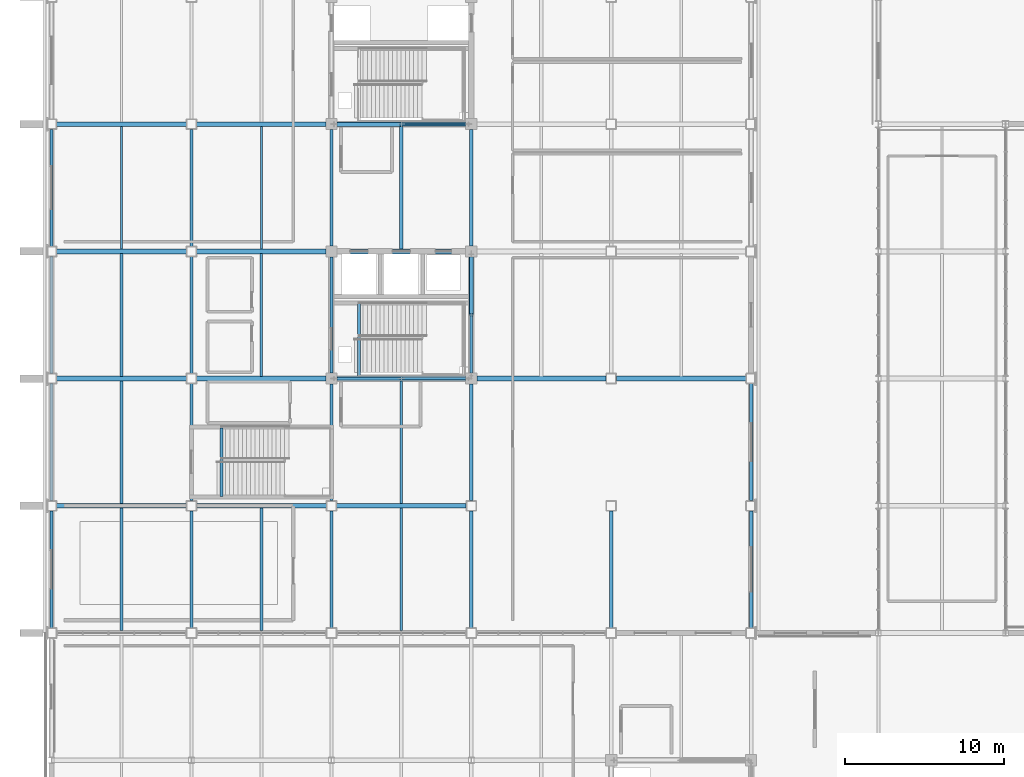
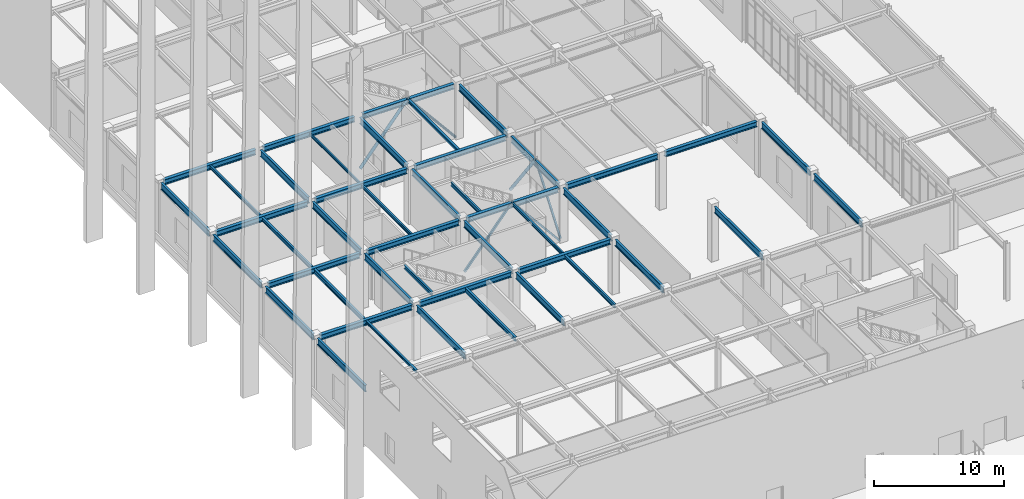
# One storey, part 25 of 119: 45 beams, 6 members.
"""IFC4 building model written with IfcOpenShell, lengths in metres."""

from ifc_helpers import new_model, si_unit, direction, frame, origin, origin_2d, place, context, subcontext, project, spatial, hollow_rectangle, hollow_circle, i_section, extrude, material, material_profile, profile_set, type_object, element, save


model = new_model("IFC4")

# Units and contexts
model_context = context("Model", 3, precision=1e-05, world=origin(), true_north=direction((0.0, 1.0)))
body_context = subcontext(model_context, "Body", "Model", "MODEL_VIEW")
ifc_project = project(units=[si_unit("LENGTHUNIT", "METRE"), si_unit("AREAUNIT", "SQUARE_METRE"), si_unit("VOLUMEUNIT", "CUBIC_METRE"), si_unit("PLANEANGLEUNIT", "RADIAN"), si_unit("MASSUNIT", "GRAM", prefix="KILO")], contexts=[model_context])

# Site, building, storey
site_placement = place(None, origin())
site = spatial("IfcSite", under=ifc_project, at=site_placement, CompositionType="ELEMENT")
building_placement = place(site_placement, origin())
building = spatial("IfcBuilding", under=site, at=building_placement, Name="Zhaolan Boulevard Law Courts", CompositionType="ELEMENT")
storey_placement = place(building_placement, origin())
storey = spatial("IfcBuildingStorey", under=building, at=storey_placement, Name="L00", CompositionType="ELEMENT", Elevation=0.0)

# Members
ifc_material_1 = material(Name="Structural steel Q355B", Category="steel")
ifc_material_profile_1 = material_profile(ifc_material_1, hollow_circle(Radius=0.109619140625, WallThickness=0.008056640625, at=origin_2d()), Name="CHS219x8")
ifc_profile_set_1 = profile_set([ifc_material_profile_1], Name="Structural steel Q355B")
member_type_1 = type_object("IfcMemberType", Name="BRACE CHS219", PredefinedType="BRACE", material=ifc_profile_set_1)
member_1_placement = place(storey_placement, frame((26.219970703125, 62.0, 0.030029296875), z_axis=(-0.638239277889, 0.0, 0.769838050605), x_axis=(0.0, -1.0, 0.0)))
element("IfcMember", 1, at=member_1_placement, inside=storey, type_object=member_type_1, Name="Core Brace BR-W2-L00-S2", PredefinedType="BRACE", context=body_context, shape_type="SweptSolid", body=[
    extrude(hollow_circle(Radius=0.109619140625, WallThickness=0.008056640625, at=origin_2d()), origin(), (0.0, 0.0, 1.0), 6.61181640625),
])
ifc_material_2 = material(Name="Structural steel Q355B", Category="steel")
ifc_material_profile_2 = material_profile(ifc_material_2, hollow_circle(Radius=0.136474609375, WallThickness=0.010009765625, at=origin_2d()), Name="CHS273x10")
ifc_profile_set_2 = profile_set([ifc_material_profile_2], Name="Structural steel Q355B")
member_type_2 = type_object("IfcMemberType", Name="BRACE CHS273", PredefinedType="BRACE", material=ifc_profile_set_2)
member_2_placement = place(storey_placement, frame((26.39990234375, 53.820068359375, 0.030029296875), z_axis=(0.0, -0.600251625626, 0.799811218935), x_axis=(1.0, 0.0, 0.0)))
element("IfcMember", 2, at=member_2_placement, inside=storey, type_object=member_type_2, Name="Core Brace BR-W1-L00-E2", PredefinedType="BRACE", context=body_context, shape_type="SweptSolid", body=[
    extrude(hollow_circle(Radius=0.136474609375, WallThickness=0.010009765625, at=origin_2d()), origin(), (0.0, 0.0, 1.0), 6.364013671875),
])
member_3_placement = place(storey_placement, frame((17.780029296875, 62.0, 0.030029296875), z_axis=(0.638239277889, 0.0, 0.769838050605), x_axis=(0.0, 1.0, 0.0)))
element("IfcMember", 3, at=member_3_placement, inside=storey, type_object=member_type_2, Name="Core Brace BR-W2-L00-S1", PredefinedType="BRACE", context=body_context, shape_type="SweptSolid", body=[
    extrude(hollow_circle(Radius=0.136474609375, WallThickness=0.010009765625, at=origin_2d()), origin(), (0.0, 0.0, 1.0), 6.61181640625),
])
ifc_material_3 = material(Name="Structural steel Q355B", Category="steel")
ifc_material_profile_3 = material_profile(ifc_material_3, hollow_rectangle(XDim=0.159912109375, YDim=0.159912109375, WallThickness=0.008056640625, InnerFilletRadius=0.008056640625, OuterFilletRadius=0.01611328125, at=origin_2d()), Name="HSS160x160x8")
ifc_profile_set_3 = profile_set([ifc_material_profile_3], Name="Structural steel Q355B")
member_type_3 = type_object("IfcMemberType", Name="BRACE HSS160", PredefinedType="BRACE", material=ifc_profile_set_3)
member_4_placement = place(storey_placement, frame((26.219970703125, 46.0, 0.030029296875), z_axis=(-0.638239277889, 0.0, 0.769838050605), x_axis=(0.0, -1.0, 0.0)))
element("IfcMember", 4, at=member_4_placement, inside=storey, type_object=member_type_3, Name="Core Brace BR-W1-L00-S2", PredefinedType="BRACE", context=body_context, shape_type="SweptSolid", body=[
    extrude(hollow_rectangle(XDim=0.159912109375, YDim=0.159912109375, WallThickness=0.008056640625, InnerFilletRadius=0.008056640625, OuterFilletRadius=0.01611328125, at=origin_2d()), origin(), (0.0, 0.0, 1.0), 6.61181640625),
])
member_5_placement = place(storey_placement, frame((26.39990234375, 46.179931640625, 0.030029296875), z_axis=(0.0, 0.600251625626, 0.799811218935), x_axis=(-1.0, 0.0, 0.0)))
element("IfcMember", 5, at=member_5_placement, inside=storey, type_object=member_type_3, Name="Core Brace BR-W1-L00-E1", PredefinedType="BRACE", context=body_context, shape_type="SweptSolid", body=[
    extrude(hollow_rectangle(XDim=0.159912109375, YDim=0.159912109375, WallThickness=0.008056640625, InnerFilletRadius=0.008056640625, OuterFilletRadius=0.01611328125, at=origin_2d()), origin(), (0.0, 0.0, 1.0), 6.364013671875),
])
ifc_material_4 = material(Name="Structural steel Q355B", Category="steel")
ifc_material_profile_4 = material_profile(ifc_material_4, hollow_rectangle(XDim=0.179931640625, YDim=0.179931640625, WallThickness=0.008056640625, InnerFilletRadius=0.008056640625, OuterFilletRadius=0.01611328125, at=origin_2d()), Name="HSS180x180x8")
ifc_profile_set_4 = profile_set([ifc_material_profile_4], Name="Structural steel Q355B")
member_type_4 = type_object("IfcMemberType", Name="BRACE HSS180", PredefinedType="BRACE", material=ifc_profile_set_4)
member_6_placement = place(storey_placement, frame((17.780029296875, 46.0, 0.030029296875), z_axis=(0.638239277889, 0.0, 0.769838050605), x_axis=(0.0, 1.0, 0.0)))
element("IfcMember", 6, at=member_6_placement, inside=storey, type_object=member_type_4, Name="Core Brace BR-W1-L00-S1", PredefinedType="BRACE", context=body_context, shape_type="SweptSolid", body=[
    extrude(hollow_rectangle(XDim=0.179931640625, YDim=0.179931640625, WallThickness=0.008056640625, InnerFilletRadius=0.008056640625, OuterFilletRadius=0.01611328125, at=origin_2d()), origin(), (0.0, 0.0, 1.0), 6.61181640625),
])

# Beams
ifc_material_5 = material(Name="Structural steel Q355B", Category="steel")
ifc_material_profile_5 = material_profile(ifc_material_5, i_section(OverallWidth=0.300048828125, OverallDepth=0.488037109375, WebThickness=0.010986328125, FlangeThickness=0.01806640625, FilletRadius=0.02197265625, at=origin_2d()), Name="HM488x300")
ifc_profile_set_5 = profile_set([ifc_material_profile_5], Name="Structural steel Q355B")
beam_type_1 = type_object("IfcBeamType", Name="GIRDER HM500", PredefinedType="BEAM", material=ifc_profile_set_5)
for number, where, z_axis, x_axis, name in (
    (7, (0.321044921875, 38.0, 4.89404296875), (1.0, 0.0, 0.0), (0.0, 1.0, 0.0), "Beam BX-L01-1-2-F"),
    (8, (9.12109375, 38.0, 4.89404296875), (1.0, 0.0, 0.0), (0.0, 1.0, 0.0), "Beam BX-L01-2-3-F"),
):
    element("IfcBeam", number, at=place(storey_placement, frame(where, z_axis=z_axis, x_axis=x_axis)), inside=storey, type_object=beam_type_1, Name=name, PredefinedType="BEAM", context=body_context, shape_type="SweptSolid", body=[
        extrude(i_section(OverallWidth=0.300048828125, OverallDepth=0.488037109375, WebThickness=0.010986328125, FlangeThickness=0.01806640625, FilletRadius=0.02197265625, at=origin_2d()), origin(), (0.0, 0.0, 1.0), 8.157958984375),
    ])
beam_1_placement = place(storey_placement, frame((17.9208984375, 38.0, 4.89404296875), z_axis=(1.0, 0.0, 0.0), x_axis=(0.0, 1.0, 0.0)))
element("IfcBeam", 9, at=beam_1_placement, inside=storey, type_object=beam_type_1, Name="Beam BX-L01-3-4-F", PredefinedType="BEAM", context=body_context, shape_type="SweptSolid", body=[
    extrude(i_section(OverallWidth=0.300048828125, OverallDepth=0.488037109375, WebThickness=0.010986328125, FlangeThickness=0.01806640625, FilletRadius=0.02197265625, at=origin_2d()), origin(), (0.0, 0.0, 1.0), 8.158203125),
])
beam_2_placement = place(storey_placement, frame((0.321044921875, 46.0, 4.89404296875), z_axis=(1.0, 0.0, 0.0), x_axis=(0.0, 1.0, 0.0)))
element("IfcBeam", 10, at=beam_2_placement, inside=storey, type_object=beam_type_1, Name="Beam BX-L01-1-2-G", PredefinedType="BEAM", context=body_context, shape_type="SweptSolid", body=[
    extrude(i_section(OverallWidth=0.300048828125, OverallDepth=0.488037109375, WebThickness=0.010986328125, FlangeThickness=0.01806640625, FilletRadius=0.02197265625, at=origin_2d()), origin(), (0.0, 0.0, 1.0), 8.157958984375),
])
beam_3_placement = place(storey_placement, frame((9.12109375, 46.0, 4.89404296875), z_axis=(1.0, 0.0, 0.0), x_axis=(0.0, 1.0, 0.0)))
element("IfcBeam", 11, at=beam_3_placement, inside=storey, type_object=beam_type_1, Name="Beam BX-L01-2-3-G", PredefinedType="BEAM", context=body_context, shape_type="SweptSolid", body=[
    extrude(i_section(OverallWidth=0.300048828125, OverallDepth=0.488037109375, WebThickness=0.010986328125, FlangeThickness=0.01806640625, FilletRadius=0.02197265625, at=origin_2d()), origin(), (0.0, 0.0, 1.0), 8.1328125),
])
beam_4_placement = place(storey_placement, frame((17.946044921875, 46.0, 4.89404296875), z_axis=(1.0, 0.0, 0.0), x_axis=(0.0, 1.0, 0.0)))
element("IfcBeam", 12, at=beam_4_placement, inside=storey, type_object=beam_type_1, Name="Beam BX-L01-3-4-G", PredefinedType="BEAM", context=body_context, shape_type="SweptSolid", body=[
    extrude(i_section(OverallWidth=0.300048828125, OverallDepth=0.488037109375, WebThickness=0.010986328125, FlangeThickness=0.01806640625, FilletRadius=0.02197265625, at=origin_2d()), origin(), (0.0, 0.0, 1.0), 8.10791015625),
])
beam_5_placement = place(storey_placement, frame((26.74609375, 46.0, 4.89404296875), z_axis=(1.0, 0.0, 0.0), x_axis=(0.0, 1.0, 0.0)))
element("IfcBeam", 13, at=beam_5_placement, inside=storey, type_object=beam_type_1, Name="Beam BX-L01-4-5-G", PredefinedType="BEAM", context=body_context, shape_type="SweptSolid", body=[
    extrude(i_section(OverallWidth=0.300048828125, OverallDepth=0.488037109375, WebThickness=0.010986328125, FlangeThickness=0.01806640625, FilletRadius=0.02197265625, at=origin_2d()), origin(), (0.0, 0.0, 1.0), 8.1328125),
])
for number, where, z_axis, x_axis, name in (
    (14, (35.52099609375, 46.0, 4.89404296875), (1.0, 0.0, 0.0), (0.0, 1.0, 0.0), "Beam BX-L01-5-6-G"),
    (15, (0.321044921875, 54.0, 4.89404296875), (1.0, 0.0, 0.0), (0.0, 1.0, 0.0), "Beam BX-L01-1-2-H"),
):
    element("IfcBeam", number, at=place(storey_placement, frame(where, z_axis=z_axis, x_axis=x_axis)), inside=storey, type_object=beam_type_1, Name=name, PredefinedType="BEAM", context=body_context, shape_type="SweptSolid", body=[
        extrude(i_section(OverallWidth=0.300048828125, OverallDepth=0.488037109375, WebThickness=0.010986328125, FlangeThickness=0.01806640625, FilletRadius=0.02197265625, at=origin_2d()), origin(), (0.0, 0.0, 1.0), 8.157958984375),
    ])
beam_6_placement = place(storey_placement, frame((9.12109375, 54.0, 4.89404296875), z_axis=(1.0, 0.0, 0.0), x_axis=(0.0, 1.0, 0.0)))
element("IfcBeam", 16, at=beam_6_placement, inside=storey, type_object=beam_type_1, Name="Beam BX-L01-2-3-H", PredefinedType="BEAM", context=body_context, shape_type="SweptSolid", body=[
    extrude(i_section(OverallWidth=0.300048828125, OverallDepth=0.488037109375, WebThickness=0.010986328125, FlangeThickness=0.01806640625, FilletRadius=0.02197265625, at=origin_2d()), origin(), (0.0, 0.0, 1.0), 8.1328125),
])
beam_7_placement = place(storey_placement, frame((17.946044921875, 54.0, 4.89404296875), z_axis=(1.0, 0.0, 0.0), x_axis=(0.0, 1.0, 0.0)))
element("IfcBeam", 17, at=beam_7_placement, inside=storey, type_object=beam_type_1, Name="Beam BX-L01-3-4-H", PredefinedType="BEAM", context=body_context, shape_type="SweptSolid", body=[
    extrude(i_section(OverallWidth=0.300048828125, OverallDepth=0.488037109375, WebThickness=0.010986328125, FlangeThickness=0.01806640625, FilletRadius=0.02197265625, at=origin_2d()), origin(), (0.0, 0.0, 1.0), 8.10791015625),
])
beam_8_placement = place(storey_placement, frame((0.321044921875, 62.0, 4.89404296875), z_axis=(1.0, 0.0, 0.0), x_axis=(0.0, 1.0, 0.0)))
element("IfcBeam", 18, at=beam_8_placement, inside=storey, type_object=beam_type_1, Name="Beam BX-L01-1-2-J", PredefinedType="BEAM", context=body_context, shape_type="SweptSolid", body=[
    extrude(i_section(OverallWidth=0.300048828125, OverallDepth=0.488037109375, WebThickness=0.010986328125, FlangeThickness=0.01806640625, FilletRadius=0.02197265625, at=origin_2d()), origin(), (0.0, 0.0, 1.0), 8.157958984375),
])
beam_9_placement = place(storey_placement, frame((9.12109375, 62.0, 4.89404296875), z_axis=(1.0, 0.0, 0.0), x_axis=(0.0, 1.0, 0.0)))
element("IfcBeam", 19, at=beam_9_placement, inside=storey, type_object=beam_type_1, Name="Beam BX-L01-2-3-J", PredefinedType="BEAM", context=body_context, shape_type="SweptSolid", body=[
    extrude(i_section(OverallWidth=0.300048828125, OverallDepth=0.488037109375, WebThickness=0.010986328125, FlangeThickness=0.01806640625, FilletRadius=0.02197265625, at=origin_2d()), origin(), (0.0, 0.0, 1.0), 8.1328125),
])
beam_10_placement = place(storey_placement, frame((17.946044921875, 62.0, 4.89404296875), z_axis=(1.0, 0.0, 0.0), x_axis=(0.0, 1.0, 0.0)))
element("IfcBeam", 20, at=beam_10_placement, inside=storey, type_object=beam_type_1, Name="Beam BX-L01-3-4-J", PredefinedType="BEAM", context=body_context, shape_type="SweptSolid", body=[
    extrude(i_section(OverallWidth=0.300048828125, OverallDepth=0.488037109375, WebThickness=0.010986328125, FlangeThickness=0.01806640625, FilletRadius=0.02197265625, at=origin_2d()), origin(), (0.0, 0.0, 1.0), 8.10791015625),
])
ifc_material_6 = material(Name="Structural steel Q355B", Category="steel")
ifc_material_profile_6 = material_profile(ifc_material_6, i_section(OverallWidth=0.199951171875, OverallDepth=0.60009765625, WebThickness=0.010986328125, FlangeThickness=0.01708984375, FilletRadius=0.02001953125, at=origin_2d()), Name="HN600x200")
ifc_profile_set_6 = profile_set([ifc_material_profile_6], Name="Structural steel Q355B")
beam_type_2 = type_object("IfcBeamType", Name="GIRDER HN600", PredefinedType="BEAM", material=ifc_profile_set_6)
for number, where, z_axis, x_axis, name in (
    (21, (0.0, 30.321044921875, 4.837890625), (0.0, 1.0, 0.0), (-1.0, 0.0, 0.0), "Beam BY-L01-1-E-F"),
    (22, (0.0, 38.321044921875, 4.837890625), (0.0, 1.0, 0.0), (-1.0, 0.0, 0.0), "Beam BY-L01-1-F-G"),
    (23, (0.0, 46.321044921875, 4.837890625), (0.0, 1.0, 0.0), (-1.0, 0.0, 0.0), "Beam BY-L01-1-G-H"),
    (24, (0.0, 54.321044921875, 4.837890625), (0.0, 1.0, 0.0), (-1.0, 0.0, 0.0), "Beam BY-L01-1-H-J"),
    (25, (8.800048828125, 30.321044921875, 4.837890625), (0.0, 1.0, 0.0), (-1.0, 0.0, 0.0), "Beam BY-L01-2-E-F"),
    (26, (8.800048828125, 38.321044921875, 4.837890625), (0.0, 1.0, 0.0), (-1.0, 0.0, 0.0), "Beam BY-L01-2-F-G"),
    (27, (8.800048828125, 46.321044921875, 4.837890625), (0.0, 1.0, 0.0), (-1.0, 0.0, 0.0), "Beam BY-L01-2-G-H"),
    (28, (8.800048828125, 54.321044921875, 4.837890625), (0.0, 1.0, 0.0), (-1.0, 0.0, 0.0), "Beam BY-L01-2-H-J"),
    (29, (17.60009765625, 30.321044921875, 4.837890625), (0.0, 1.0, 0.0), (-1.0, 0.0, 0.0), "Beam BY-L01-3-E-F"),
):
    element("IfcBeam", number, at=place(storey_placement, frame(where, z_axis=z_axis, x_axis=x_axis)), inside=storey, type_object=beam_type_2, Name=name, PredefinedType="BEAM", context=body_context, shape_type="SweptSolid", body=[
        extrude(i_section(OverallWidth=0.199951171875, OverallDepth=0.60009765625, WebThickness=0.010986328125, FlangeThickness=0.01708984375, FilletRadius=0.02001953125, at=origin_2d()), origin(), (0.0, 0.0, 1.0), 7.35791015625),
    ])
beam_11_placement = place(storey_placement, frame((17.60009765625, 38.321044921875, 4.837890625), z_axis=(0.0, 1.0, 0.0), x_axis=(-1.0, 0.0, 0.0)))
element("IfcBeam", 30, at=beam_11_placement, inside=storey, type_object=beam_type_2, Name="Beam BY-L01-3-F-G", PredefinedType="BEAM", context=body_context, shape_type="SweptSolid", body=[
    extrude(i_section(OverallWidth=0.199951171875, OverallDepth=0.60009765625, WebThickness=0.010986328125, FlangeThickness=0.01708984375, FilletRadius=0.02001953125, at=origin_2d()), origin(), (0.0, 0.0, 1.0), 7.3330078125),
])
for number, where, z_axis, x_axis, name in (
    (31, (17.60009765625, 46.345947265625, 4.837890625), (0.0, 1.0, 0.0), (-1.0, 0.0, 0.0), "Beam BY-L01-3-G-H"),
    (32, (17.60009765625, 54.345947265625, 4.837890625), (0.0, 1.0, 0.0), (-1.0, 0.0, 0.0), "Beam BY-L01-3-H-J"),
):
    element("IfcBeam", number, at=place(storey_placement, frame(where, z_axis=z_axis, x_axis=x_axis)), inside=storey, type_object=beam_type_2, Name=name, PredefinedType="BEAM", context=body_context, shape_type="SweptSolid", body=[
        extrude(i_section(OverallWidth=0.199951171875, OverallDepth=0.60009765625, WebThickness=0.010986328125, FlangeThickness=0.01708984375, FilletRadius=0.02001953125, at=origin_2d()), origin(), (0.0, 0.0, 1.0), 7.30810546875),
    ])
beam_12_placement = place(storey_placement, frame((26.39990234375, 30.321044921875, 4.837890625), z_axis=(0.0, 1.0, 0.0), x_axis=(-1.0, 0.0, 0.0)))
element("IfcBeam", 33, at=beam_12_placement, inside=storey, type_object=beam_type_2, Name="Beam BY-L01-4-E-F", PredefinedType="BEAM", context=body_context, shape_type="SweptSolid", body=[
    extrude(i_section(OverallWidth=0.199951171875, OverallDepth=0.60009765625, WebThickness=0.010986328125, FlangeThickness=0.01708984375, FilletRadius=0.02001953125, at=origin_2d()), origin(), (0.0, 0.0, 1.0), 7.35791015625),
])
beam_13_placement = place(storey_placement, frame((26.39990234375, 38.321044921875, 4.837890625), z_axis=(0.0, 1.0, 0.0), x_axis=(-1.0, 0.0, 0.0)))
element("IfcBeam", 34, at=beam_13_placement, inside=storey, type_object=beam_type_2, Name="Beam BY-L01-4-F-G", PredefinedType="BEAM", context=body_context, shape_type="SweptSolid", body=[
    extrude(i_section(OverallWidth=0.199951171875, OverallDepth=0.60009765625, WebThickness=0.010986328125, FlangeThickness=0.01708984375, FilletRadius=0.02001953125, at=origin_2d()), origin(), (0.0, 0.0, 1.0), 7.3330078125),
])
for number, where, z_axis, x_axis, name in (
    (35, (26.39990234375, 46.345947265625, 4.837890625), (0.0, 1.0, 0.0), (-1.0, 0.0, 0.0), "Beam BY-L01-4-G-H"),
    (36, (26.39990234375, 54.345947265625, 4.837890625), (0.0, 1.0, 0.0), (-1.0, 0.0, 0.0), "Beam BY-L01-4-H-J"),
):
    element("IfcBeam", number, at=place(storey_placement, frame(where, z_axis=z_axis, x_axis=x_axis)), inside=storey, type_object=beam_type_2, Name=name, PredefinedType="BEAM", context=body_context, shape_type="SweptSolid", body=[
        extrude(i_section(OverallWidth=0.199951171875, OverallDepth=0.60009765625, WebThickness=0.010986328125, FlangeThickness=0.01708984375, FilletRadius=0.02001953125, at=origin_2d()), origin(), (0.0, 0.0, 1.0), 7.30810546875),
    ])
for number, where, z_axis, x_axis, name in (
    (37, (35.199951171875, 30.321044921875, 4.837890625), (0.0, 1.0, 0.0), (-1.0, 0.0, 0.0), "Beam BY-L01-5-E-F"),
    (38, (44.0, 30.321044921875, 4.837890625), (0.0, 1.0, 0.0), (-1.0, 0.0, 0.0), "Beam BY-L01-6-E-F"),
    (39, (44.0, 38.321044921875, 4.837890625), (0.0, 1.0, 0.0), (-1.0, 0.0, 0.0), "Beam BY-L01-6-F-G"),
):
    element("IfcBeam", number, at=place(storey_placement, frame(where, z_axis=z_axis, x_axis=x_axis)), inside=storey, type_object=beam_type_2, Name=name, PredefinedType="BEAM", context=body_context, shape_type="SweptSolid", body=[
        extrude(i_section(OverallWidth=0.199951171875, OverallDepth=0.60009765625, WebThickness=0.010986328125, FlangeThickness=0.01708984375, FilletRadius=0.02001953125, at=origin_2d()), origin(), (0.0, 0.0, 1.0), 7.35791015625),
    ])
ifc_material_7 = material(Name="Structural steel Q355B", Category="steel")
ifc_material_profile_7 = material_profile(ifc_material_7, i_section(OverallWidth=0.175048828125, OverallDepth=0.243896484375, WebThickness=0.007080078125, FlangeThickness=0.010986328125, FilletRadius=0.012939453125, at=origin_2d()), Name="HM244x175")
ifc_profile_set_7 = profile_set([ifc_material_profile_7], Name="Structural steel Q355B")
beam_type_3 = type_object("IfcBeamType", Name="JOIST HM244", PredefinedType="JOIST", material=ifc_profile_set_7)
beam_14_placement = place(storey_placement, frame((4.39990234375, 30.14599609375, 5.01611328125), z_axis=(0.0, 1.0, 0.0), x_axis=(-1.0, 0.0, 0.0)))
element("IfcBeam", 40, at=beam_14_placement, inside=storey, type_object=beam_type_3, Name="Composite Joist J-L01-1E", PredefinedType="JOIST", context=body_context, shape_type="SweptSolid", body=[
    extrude(i_section(OverallWidth=0.175048828125, OverallDepth=0.243896484375, WebThickness=0.007080078125, FlangeThickness=0.010986328125, FilletRadius=0.012939453125, at=origin_2d()), origin(), (0.0, 0.0, 1.0), 7.7080078125),
])
ifc_material_8 = material(Name="Structural steel Q355B", Category="steel")
ifc_material_profile_8 = material_profile(ifc_material_8, i_section(OverallWidth=0.199951171875, OverallDepth=0.2939453125, WebThickness=0.008056640625, FlangeThickness=0.011962890625, FilletRadius=0.01611328125, at=origin_2d()), Name="HM294x200")
ifc_profile_set_8 = profile_set([ifc_material_profile_8], Name="Structural steel Q355B")
beam_type_4 = type_object("IfcBeamType", Name="JOIST HM294", PredefinedType="JOIST", material=ifc_profile_set_8)
beam_15_placement = place(storey_placement, frame((22.0, 54.14599609375, 4.990966796875), z_axis=(0.0, 1.0, 0.0), x_axis=(-1.0, 0.0, 0.0)))
element("IfcBeam", 41, at=beam_15_placement, inside=storey, type_object=beam_type_4, Name="Composite Joist J-L01-3H", PredefinedType="JOIST", context=body_context, shape_type="SweptSolid", body=[
    extrude(i_section(OverallWidth=0.199951171875, OverallDepth=0.2939453125, WebThickness=0.008056640625, FlangeThickness=0.011962890625, FilletRadius=0.01611328125, at=origin_2d()), origin(), (0.0, 0.0, 1.0), 7.7080078125),
])
ifc_material_9 = material(Name="Structural steel Q355B", Category="steel")
ifc_material_profile_9 = material_profile(ifc_material_9, i_section(OverallWidth=0.125, OverallDepth=0.25, WebThickness=0.006103515625, FlangeThickness=0.009033203125, FilletRadius=0.010009765625, at=origin_2d()), Name="HN250x125")
ifc_profile_set_9 = profile_set([ifc_material_profile_9], Name="Structural steel Q355B")
beam_type_5 = type_object("IfcBeamType", Name="JOIST HN250", PredefinedType="JOIST", material=ifc_profile_set_9)
beam_16_placement = place(storey_placement, frame((13.199951171875, 54.14599609375, 5.012939453125), z_axis=(0.0, 1.0, 0.0), x_axis=(-1.0, 0.0, 0.0)))
element("IfcBeam", 42, at=beam_16_placement, inside=storey, type_object=beam_type_5, Name="Composite Joist J-L01-2H", PredefinedType="JOIST", context=body_context, shape_type="SweptSolid", body=[
    extrude(i_section(OverallWidth=0.125, OverallDepth=0.25, WebThickness=0.006103515625, FlangeThickness=0.009033203125, FilletRadius=0.010009765625, at=origin_2d()), origin(), (0.0, 0.0, 1.0), 7.7080078125),
])
ifc_material_10 = material(Name="Structural steel Q355B", Category="steel")
ifc_material_profile_10 = material_profile(ifc_material_10, i_section(OverallWidth=0.14990234375, OverallDepth=0.300048828125, WebThickness=0.006591796875, FlangeThickness=0.009033203125, FilletRadius=0.010986328125, at=origin_2d()), Name="HN300x150")
ifc_profile_set_10 = profile_set([ifc_material_profile_10], Name="Structural steel Q355B")
beam_type_6 = type_object("IfcBeamType", Name="JOIST HN300", PredefinedType="JOIST", material=ifc_profile_set_10)
for number, where, z_axis, x_axis, name in (
    (43, (4.39990234375, 54.14599609375, 4.988037109375), (0.0, 1.0, 0.0), (-1.0, 0.0, 0.0), "Composite Joist J-L01-1H"),
    (44, (13.199951171875, 46.14599609375, 4.988037109375), (0.0, 1.0, 0.0), (-1.0, 0.0, 0.0), "Composite Joist J-L01-2G"),
    (45, (22.0, 38.14599609375, 4.988037109375), (0.0, 1.0, 0.0), (-1.0, 0.0, 0.0), "Composite Joist J-L01-3F"),
):
    element("IfcBeam", number, at=place(storey_placement, frame(where, z_axis=z_axis, x_axis=x_axis)), inside=storey, type_object=beam_type_6, Name=name, PredefinedType="JOIST", context=body_context, shape_type="SweptSolid", body=[
        extrude(i_section(OverallWidth=0.14990234375, OverallDepth=0.300048828125, WebThickness=0.006591796875, FlangeThickness=0.009033203125, FilletRadius=0.010986328125, at=origin_2d()), origin(), (0.0, 0.0, 1.0), 7.7080078125),
    ])
ifc_material_11 = material(Name="Structural steel Q355B", Category="steel")
ifc_material_profile_11 = material_profile(ifc_material_11, i_section(OverallWidth=0.175048828125, OverallDepth=0.35009765625, WebThickness=0.007080078125, FlangeThickness=0.010986328125, FilletRadius=0.012939453125, at=origin_2d()), Name="HN350x175")
ifc_profile_set_11 = profile_set([ifc_material_profile_11], Name="Structural steel Q355B")
beam_type_7 = type_object("IfcBeamType", Name="JOIST HN350", PredefinedType="JOIST", material=ifc_profile_set_11)
for number, where, z_axis, x_axis, name in (
    (46, (4.39990234375, 46.14599609375, 4.962890625), (0.0, 1.0, 0.0), (-1.0, 0.0, 0.0), "Composite Joist J-L01-1G"),
    (47, (22.0, 30.14599609375, 4.962890625), (0.0, 1.0, 0.0), (-1.0, 0.0, 0.0), "Composite Joist J-L01-3E"),
):
    element("IfcBeam", number, at=place(storey_placement, frame(where, z_axis=z_axis, x_axis=x_axis)), inside=storey, type_object=beam_type_7, Name=name, PredefinedType="JOIST", context=body_context, shape_type="SweptSolid", body=[
        extrude(i_section(OverallWidth=0.175048828125, OverallDepth=0.35009765625, WebThickness=0.007080078125, FlangeThickness=0.010986328125, FilletRadius=0.012939453125, at=origin_2d()), origin(), (0.0, 0.0, 1.0), 7.7080078125),
    ])
ifc_material_12 = material(Name="Structural steel Q355B", Category="steel")
ifc_material_profile_12 = material_profile(ifc_material_12, i_section(OverallWidth=0.199951171875, OverallDepth=0.39990234375, WebThickness=0.008056640625, FlangeThickness=0.012939453125, FilletRadius=0.013916015625, at=origin_2d()), Name="HN400x200")
ifc_profile_set_12 = profile_set([ifc_material_profile_12], Name="Structural steel Q355B")
beam_type_8 = type_object("IfcBeamType", Name="JOIST HN400", PredefinedType="JOIST", material=ifc_profile_set_12)
for number, where, z_axis, x_axis, name in (
    (48, (4.39990234375, 38.14599609375, 4.93798828125), (0.0, 1.0, 0.0), (-1.0, 0.0, 0.0), "Composite Joist J-L01-1F"),
    (49, (13.199951171875, 30.14599609375, 4.93798828125), (0.0, 1.0, 0.0), (-1.0, 0.0, 0.0), "Composite Joist J-L01-2E"),
):
    element("IfcBeam", number, at=place(storey_placement, frame(where, z_axis=z_axis, x_axis=x_axis)), inside=storey, type_object=beam_type_8, Name=name, PredefinedType="JOIST", context=body_context, shape_type="SweptSolid", body=[
        extrude(i_section(OverallWidth=0.199951171875, OverallDepth=0.39990234375, WebThickness=0.008056640625, FlangeThickness=0.012939453125, FilletRadius=0.013916015625, at=origin_2d()), origin(), (0.0, 0.0, 1.0), 7.7080078125),
    ])
ifc_material_13 = material(Name="Structural steel Q355B", Category="steel")
ifc_material_profile_13 = material_profile(ifc_material_13, i_section(OverallWidth=0.175048828125, OverallDepth=0.35009765625, WebThickness=0.007080078125, FlangeThickness=0.010986328125, FilletRadius=0.012939453125, at=origin_2d()), Name="HN350x175")
ifc_profile_set_13 = profile_set([ifc_material_profile_13], Name="Structural steel Q355B")
beam_type_9 = type_object("IfcBeamType", Name="STAIR TRIMMER HN350", PredefinedType="BEAM", material=ifc_profile_set_13)
beam_17_placement = place(storey_placement, frame((19.3349609375, 46.1650390625, 4.93505859375), z_axis=(0.0, 1.0, 0.0), x_axis=(-1.0, 0.0, 0.0)))
element("IfcBeam", 50, at=beam_17_placement, inside=storey, type_object=beam_type_9, Name="Stair Landing Trimmer Beam STB-ST01-L01", PredefinedType="BEAM", context=body_context, shape_type="SweptSolid", body=[
    extrude(i_section(OverallWidth=0.175048828125, OverallDepth=0.35009765625, WebThickness=0.007080078125, FlangeThickness=0.010986328125, FilletRadius=0.012939453125, at=origin_2d()), origin(), (0.0, 0.0, 1.0), 4.544921875),
])
beam_18_placement = place(storey_placement, frame((10.68505859375, 38.60009765625, 4.93505859375), z_axis=(0.0, 1.0, 0.0), x_axis=(-1.0, 0.0, 0.0)))
element("IfcBeam", 51, at=beam_18_placement, inside=storey, type_object=beam_type_9, Name="Stair Landing Trimmer Beam STB-ST03-L01", PredefinedType="BEAM", context=body_context, shape_type="SweptSolid", body=[
    extrude(i_section(OverallWidth=0.175048828125, OverallDepth=0.35009765625, WebThickness=0.007080078125, FlangeThickness=0.010986328125, FilletRadius=0.012939453125, at=origin_2d()), origin(), (0.0, 0.0, 1.0), 4.2998046875),
])

save(model, "model.ifc")
